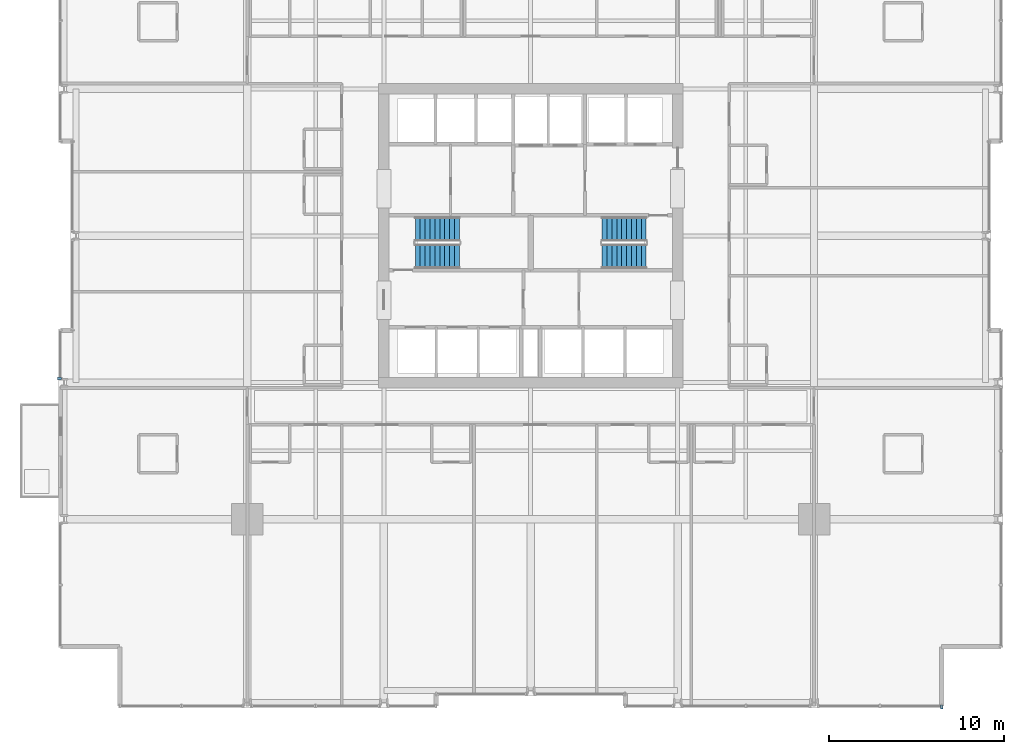
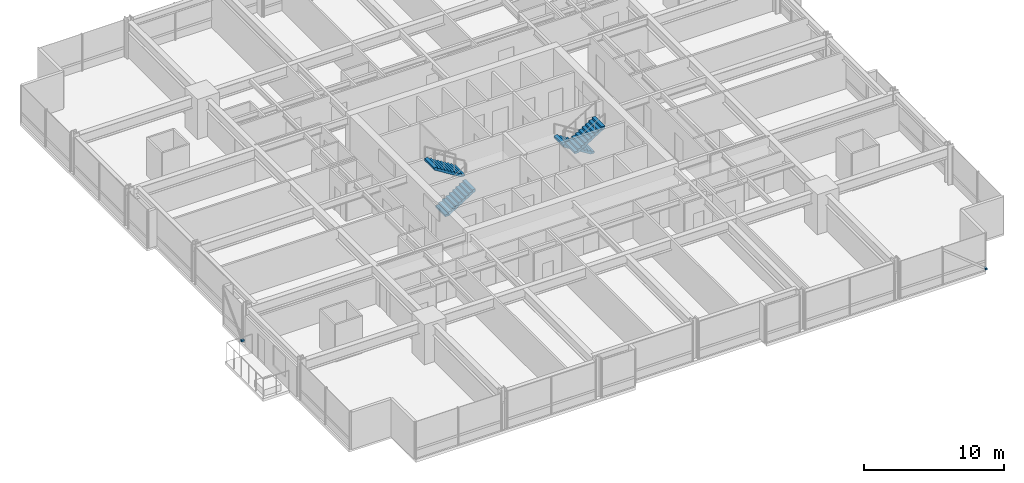
# One storey, part 34 of 39: 4 stair flights, 2 discrete accessories, 2 elements without a shape of their own.
"""IFC4 building model written with IfcOpenShell, lengths in metres."""

from ifc_helpers import new_model, si_unit, direction, frame, origin, origin_2d, place, context, subcontext, project, spatial, polyline, rectangle, outline, extrude, material, type_object, element, aggregate, save


model = new_model("IFC4")

# Units and contexts
model_context = context("Model", 3, precision=1e-05, world=origin(), true_north=direction((0.0, 1.0)))
body_context = subcontext(model_context, "Body", "Model", "MODEL_VIEW")
ifc_project = project(units=[si_unit("LENGTHUNIT", "METRE"), si_unit("AREAUNIT", "SQUARE_METRE"), si_unit("VOLUMEUNIT", "CUBIC_METRE"), si_unit("PLANEANGLEUNIT", "RADIAN"), si_unit("MASSUNIT", "GRAM", prefix="KILO")], contexts=[model_context])

# Site, building, storey
site_placement = place(None, origin())
site = spatial("IfcSite", under=ifc_project, at=site_placement, CompositionType="ELEMENT")
building_placement = place(site_placement, origin())
building = spatial("IfcBuilding", under=site, at=building_placement, Name="Drelvath Grand Hotel", CompositionType="ELEMENT")
storey_placement = place(building_placement, frame((0.0, 0.0, 54.199951171875)))
storey = spatial("IfcBuildingStorey", under=building, at=storey_placement, Name="L12", CompositionType="ELEMENT", Elevation=54.199951171875)

# Stair, stair flights
ifc_material_1 = material(Name="Concrete C40/50", Category="concrete")
stair_type = type_object("IfcStairType", Name="Dogleg Exit Stair W1400-R175.0", PredefinedType="HALF_TURN_STAIR", material=ifc_material_1)
stair_1_placement = place(storey_placement, origin())
stair_1 = element("IfcStair", 1, at=stair_1_placement, inside=storey, type_object=stair_type, Name="L12 Core Exit Stair ST-1", PredefinedType="HALF_TURN_STAIR")
stair_flight_type = type_object("IfcStairFlightType", Name="Concrete Stair Flight W1400-R175.0", PredefinedType="STRAIGHT", material=ifc_material_1)
stair_flight_1_placement = place(storey_placement, frame((-6.60009765625, 25.820068359375, 0.0), z_axis=(0.0, 0.0, 1.0), x_axis=(1.0, 0.0, 0.0)))
stair_flight_1 = element("IfcStairFlight", 2, at=stair_flight_1_placement, type_object=stair_flight_type, Name="ST-1 flight 1", NumberOfRisers=10, NumberOfTreads=9, PredefinedType="STRAIGHT", RiserHeight=0.175, TreadLength=0.28, context=body_context, shape_type="SweptSolid", body=[
    extrude(outline(polyline([(0.0, 0.0), (0.0, 0.175048828125), (0.280029296875, 0.175048828125), (0.280029296875, 0.35009765625), (0.56005859375, 0.35009765625), (0.56005859375, 0.52490234375), (0.840087890625, 0.52490234375), (0.840087890625, 0.699951171875), (1.1201171875, 0.699951171875), (1.1201171875, 0.875), (1.39990234375, 0.875), (1.39990234375, 1.050048828125), (1.679931640625, 1.050048828125), (1.679931640625, 1.22509765625), (1.9599609375, 1.22509765625), (1.9599609375, 1.39990234375), (2.239990234375, 1.39990234375), (2.239990234375, 1.574951171875), (2.52001953125, 1.574951171875), (2.52001953125, 1.75), (2.52001953125, 1.386474609375), (0.3017578125, 0.0), (0.0, 0.0)])), frame((0.0, 0.699951171875, 0.0), z_axis=(0.0, -1.0, 0.0), x_axis=(1.0, 0.0, 0.0)), (0.0, 0.0, 1.0), 1.39990234375),
])
stair_flight_2_placement = place(storey_placement, frame((-4.080078125, 27.3798828125, 1.75), z_axis=(0.0, 0.0, 1.0), x_axis=(-1.0, 0.0, 0.0)))
stair_flight_2 = element("IfcStairFlight", 3, at=stair_flight_2_placement, type_object=stair_flight_type, Name="ST-1 flight 2", NumberOfRisers=10, NumberOfTreads=9, PredefinedType="STRAIGHT", RiserHeight=0.175, TreadLength=0.28, context=body_context, shape_type="SweptSolid", body=[
    extrude(outline(polyline([(0.0, 0.0), (0.0, 0.175048828125), (0.280029296875, 0.175048828125), (0.280029296875, 0.35009765625), (0.56005859375, 0.35009765625), (0.56005859375, 0.52490234375), (0.840087890625, 0.52490234375), (0.840087890625, 0.699951171875), (1.1201171875, 0.699951171875), (1.1201171875, 0.875), (1.39990234375, 0.875), (1.39990234375, 1.050048828125), (1.679931640625, 1.050048828125), (1.679931640625, 1.22509765625), (1.9599609375, 1.22509765625), (1.9599609375, 1.39990234375), (2.239990234375, 1.39990234375), (2.239990234375, 1.574951171875), (2.52001953125, 1.574951171875), (2.52001953125, 1.75), (2.52001953125, 1.386474609375), (0.3017578125, 0.0), (0.0, 0.0)])), frame((0.0, 0.699951171875, 0.0), z_axis=(0.0, -1.0, 0.0), x_axis=(1.0, 0.0, 0.0)), (0.0, 0.0, 1.0), 1.39990234375),
])
aggregate(stair_1, [stair_flight_1, stair_flight_2])

stair_2_placement = place(storey_placement, origin())
stair_2 = element("IfcStair", 4, at=stair_2_placement, inside=storey, type_object=stair_type, Name="L12 Core Exit Stair ST-2", PredefinedType="HALF_TURN_STAIR")
stair_flight_3_placement = place(storey_placement, frame((6.60009765625, 27.3798828125, 0.0), z_axis=(0.0, 0.0, 1.0), x_axis=(-1.0, 0.0, 0.0)))
stair_flight_3 = element("IfcStairFlight", 5, at=stair_flight_3_placement, type_object=stair_flight_type, Name="ST-2 flight 1", NumberOfRisers=10, NumberOfTreads=9, PredefinedType="STRAIGHT", RiserHeight=0.175, TreadLength=0.28, context=body_context, shape_type="SweptSolid", body=[
    extrude(outline(polyline([(0.0, 0.0), (0.0, 0.175048828125), (0.280029296875, 0.175048828125), (0.280029296875, 0.35009765625), (0.56005859375, 0.35009765625), (0.56005859375, 0.52490234375), (0.840087890625, 0.52490234375), (0.840087890625, 0.699951171875), (1.1201171875, 0.699951171875), (1.1201171875, 0.875), (1.39990234375, 0.875), (1.39990234375, 1.050048828125), (1.679931640625, 1.050048828125), (1.679931640625, 1.22509765625), (1.9599609375, 1.22509765625), (1.9599609375, 1.39990234375), (2.239990234375, 1.39990234375), (2.239990234375, 1.574951171875), (2.52001953125, 1.574951171875), (2.52001953125, 1.75), (2.52001953125, 1.386474609375), (0.3017578125, 0.0), (0.0, 0.0)])), frame((0.0, 0.699951171875, 0.0), z_axis=(0.0, -1.0, 0.0), x_axis=(1.0, 0.0, 0.0)), (0.0, 0.0, 1.0), 1.39990234375),
])
stair_flight_4_placement = place(storey_placement, frame((4.080078125, 25.820068359375, 1.75), z_axis=(0.0, 0.0, 1.0), x_axis=(1.0, 0.0, 0.0)))
stair_flight_4 = element("IfcStairFlight", 6, at=stair_flight_4_placement, type_object=stair_flight_type, Name="ST-2 flight 2", NumberOfRisers=10, NumberOfTreads=9, PredefinedType="STRAIGHT", RiserHeight=0.175, TreadLength=0.28, context=body_context, shape_type="SweptSolid", body=[
    extrude(outline(polyline([(0.0, 0.0), (0.0, 0.175048828125), (0.280029296875, 0.175048828125), (0.280029296875, 0.35009765625), (0.56005859375, 0.35009765625), (0.56005859375, 0.52490234375), (0.840087890625, 0.52490234375), (0.840087890625, 0.699951171875), (1.1201171875, 0.699951171875), (1.1201171875, 0.875), (1.39990234375, 0.875), (1.39990234375, 1.050048828125), (1.679931640625, 1.050048828125), (1.679931640625, 1.22509765625), (1.9599609375, 1.22509765625), (1.9599609375, 1.39990234375), (2.239990234375, 1.39990234375), (2.239990234375, 1.574951171875), (2.52001953125, 1.574951171875), (2.52001953125, 1.75), (2.52001953125, 1.386474609375), (0.3017578125, 0.0), (0.0, 0.0)])), frame((0.0, 0.699951171875, 0.0), z_axis=(0.0, -1.0, 0.0), x_axis=(1.0, 0.0, 0.0)), (0.0, 0.0, 1.0), 1.39990234375),
])
aggregate(stair_2, [stair_flight_3, stair_flight_4])

# Discrete accessories
ifc_material_2 = material(Name="Stainless Steel Grade 316", Category="steel")
discrete_accessory_type = type_object("IfcDiscreteAccessoryType", Name="Curtain Wall Fin Mounting Bracket Cleat", PredefinedType="BRACKET", material=ifc_material_2)
for number, where, z_axis, x_axis, name in (
    (7, (-26.93994140625, 18.8408203125, 0.10009765625), (0.0, 0.0, 1.0), (0.0, 1.0, 0.0), "L12 Fin Mounting Bracket CW02-L12-WS3-1"),
    (8, (23.5, 0.06005859375, 0.10009765625), (0.0, 0.0, 1.0), (-1.0, 0.0, 0.0), "L12 Fin Mounting Bracket CW02-L12-SE3-1"),
):
    element("IfcDiscreteAccessory", number, at=place(storey_placement, frame(where, z_axis=z_axis, x_axis=x_axis)), inside=storey, type_object=discrete_accessory_type, Name=name, PredefinedType="BRACKET", context=body_context, shape_type="SweptSolid", body=[
        extrude(rectangle(XDim=0.159912109375, YDim=0.239990234375, at=origin_2d()), origin(), (0.0, 0.0, 1.0), 0.159912109375),
    ])

save(model, "model.ifc")
